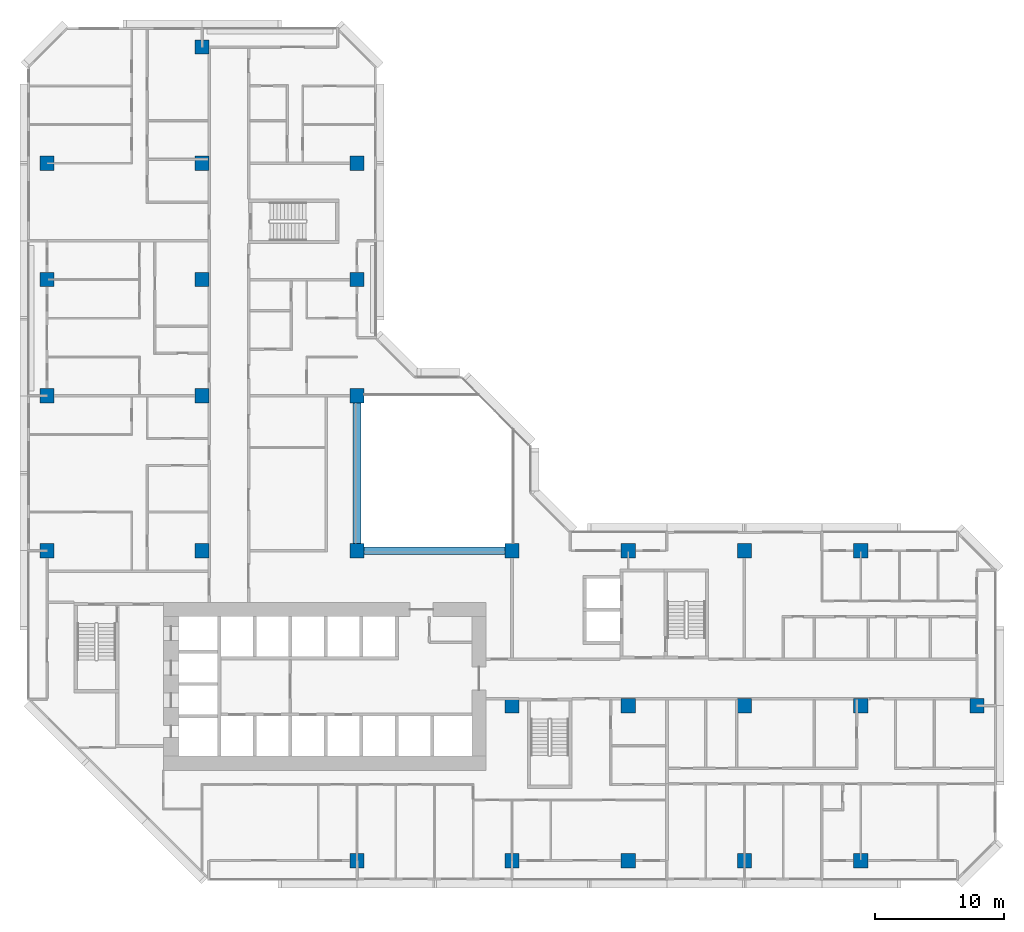
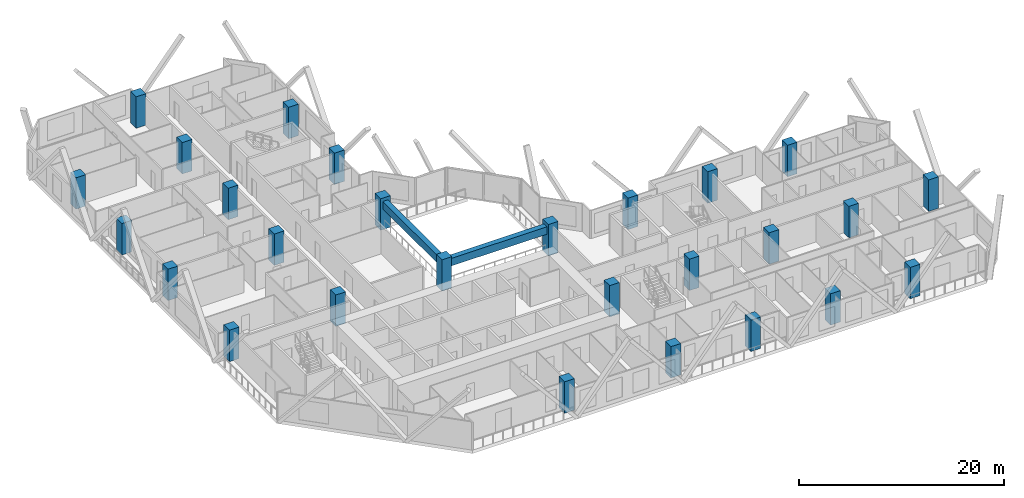
# One storey, part 1 of 16: 27 columns, 2 beams.
"""IFC4 building model written with IfcOpenShell, lengths in metres."""

from ifc_helpers import new_model, si_unit, direction, frame, origin, origin_2d, place, context, subcontext, project, spatial, rectangle, extrude, material, material_profile, profile_set, type_object, element, save


model = new_model("IFC4")

# Units and contexts
model_context = context("Model", 3, precision=1e-05, world=origin(), true_north=direction((0.0, 1.0)))
body_context = subcontext(model_context, "Body", "Model", "MODEL_VIEW")
ifc_project = project(units=[si_unit("LENGTHUNIT", "METRE"), si_unit("AREAUNIT", "SQUARE_METRE"), si_unit("VOLUMEUNIT", "CUBIC_METRE"), si_unit("PLANEANGLEUNIT", "RADIAN"), si_unit("MASSUNIT", "GRAM", prefix="KILO")], contexts=[model_context])

# Site, building, storey
site_placement = place(None, origin())
site = spatial("IfcSite", under=ifc_project, at=site_placement, CompositionType="ELEMENT")
building_placement = place(site_placement, origin())
building = spatial("IfcBuilding", under=site, at=building_placement, Name="Chenar Terraces", CompositionType="ELEMENT")
storey_placement = place(building_placement, frame((0.0, 0.0, 71.39990234375)))
storey = spatial("IfcBuildingStorey", under=building, at=storey_placement, Name="L15", CompositionType="ELEMENT", Elevation=71.39990234375)

# Columns
ifc_material_1 = material(Name="Concrete C70/85", Category="concrete")
ifc_material_profile_1 = material_profile(ifc_material_1, rectangle(XDim=1.10009765625, YDim=1.10009765625, at=origin_2d()), Name="C 1100 x 1100")
ifc_profile_set_1 = profile_set([ifc_material_profile_1], Name="Concrete C70/85")
column_type = type_object("IfcColumnType", Name="Column C 1100 x 1100 Concrete C70/85", PredefinedType="COLUMN", material=ifc_profile_set_1)
column_1_placement = place(storey_placement, frame((0.0, 24.0, 0.0), z_axis=(0.0, 0.0, 1.0), x_axis=(1.0, 0.0, 0.0)))
element("IfcColumn", 1, at=column_1_placement, inside=storey, type_object=column_type, Name="Column 5/G L15", PredefinedType="COLUMN", context=body_context, shape_type="SweptSolid", body=[
    extrude(rectangle(XDim=1.10009765625, YDim=1.10009765625, at=origin_2d()), origin(), (0.0, 0.0, 1.0), 3.75),
])
column_2_placement = place(storey_placement, frame((0.0, 36.0, 0.0), z_axis=(0.0, 0.0, 1.0), x_axis=(1.0, 0.0, 0.0)))
element("IfcColumn", 2, at=column_2_placement, inside=storey, type_object=column_type, Name="Column 5/H L15", PredefinedType="COLUMN", context=body_context, shape_type="SweptSolid", body=[
    extrude(rectangle(XDim=1.10009765625, YDim=1.10009765625, at=origin_2d()), origin(), (0.0, 0.0, 1.0), 3.75),
])
column_3_placement = place(storey_placement, frame((0.0, 45.0, 0.0), z_axis=(0.0, 0.0, 1.0), x_axis=(1.0, 0.0, 0.0)))
element("IfcColumn", 3, at=column_3_placement, inside=storey, type_object=column_type, Name="Column 5/J L15", PredefinedType="COLUMN", context=body_context, shape_type="SweptSolid", body=[
    extrude(rectangle(XDim=1.10009765625, YDim=1.10009765625, at=origin_2d()), origin(), (0.0, 0.0, 1.0), 3.75),
])
column_4_placement = place(storey_placement, frame((0.0, 54.0, 0.0), z_axis=(0.0, 0.0, 1.0), x_axis=(1.0, 0.0, 0.0)))
element("IfcColumn", 4, at=column_4_placement, inside=storey, type_object=column_type, Name="Column 5/K L15", PredefinedType="COLUMN", context=body_context, shape_type="SweptSolid", body=[
    extrude(rectangle(XDim=1.10009765625, YDim=1.10009765625, at=origin_2d()), origin(), (0.0, 0.0, 1.0), 3.75),
])
for number, where, z_axis, x_axis, name in (
    (5, (12.0, 24.0, 0.0), (0.0, 0.0, 1.0), (1.0, 0.0, 0.0), "Column 6/G L15"),
    (6, (12.0, 36.0, 0.0), (0.0, 0.0, 1.0), (1.0, 0.0, 0.0), "Column 6/H L15"),
    (7, (12.0, 45.0, 0.0), (0.0, 0.0, 1.0), (1.0, 0.0, 0.0), "Column 6/J L15"),
    (8, (12.0, 54.0, 0.0), (0.0, 0.0, 1.0), (1.0, 0.0, 0.0), "Column 6/K L15"),
    (9, (12.0, 63.0, 0.0), (0.0, 0.0, 1.0), (1.0, 0.0, 0.0), "Column 6/L L15"),
    (10, (24.0, 0.0, 0.0), (0.0, 0.0, 1.0), (1.0, 0.0, 0.0), "Column 7/E L15"),
    (11, (24.0, 24.0, 0.0), (0.0, 0.0, 1.0), (1.0, 0.0, 0.0), "Column 7/G L15"),
    (12, (24.0, 36.0, 0.0), (0.0, 0.0, 1.0), (1.0, 0.0, 0.0), "Column 7/H L15"),
    (13, (24.0, 45.0, 0.0), (0.0, 0.0, 1.0), (1.0, 0.0, 0.0), "Column 7/J L15"),
    (14, (24.0, 54.0, 0.0), (0.0, 0.0, 1.0), (1.0, 0.0, 0.0), "Column 7/K L15"),
    (15, (36.0, 0.0, 0.0), (0.0, 0.0, 1.0), (1.0, 0.0, 0.0), "Column 8/E L15"),
    (16, (36.0, 12.0, 0.0), (0.0, 0.0, 1.0), (1.0, 0.0, 0.0), "Column 8/F L15"),
    (17, (36.0, 24.0, 0.0), (0.0, 0.0, 1.0), (1.0, 0.0, 0.0), "Column 8/G L15"),
    (18, (45.0, 0.0, 0.0), (0.0, 0.0, 1.0), (1.0, 0.0, 0.0), "Column 9/E L15"),
    (19, (45.0, 12.0, 0.0), (0.0, 0.0, 1.0), (1.0, 0.0, 0.0), "Column 9/F L15"),
    (20, (45.0, 24.0, 0.0), (0.0, 0.0, 1.0), (1.0, 0.0, 0.0), "Column 9/G L15"),
    (21, (54.0, 0.0, 0.0), (0.0, 0.0, 1.0), (1.0, 0.0, 0.0), "Column 10/E L15"),
    (22, (54.0, 12.0, 0.0), (0.0, 0.0, 1.0), (1.0, 0.0, 0.0), "Column 10/F L15"),
    (23, (54.0, 24.0, 0.0), (0.0, 0.0, 1.0), (1.0, 0.0, 0.0), "Column 10/G L15"),
    (24, (63.0, 0.0, 0.0), (0.0, 0.0, 1.0), (1.0, 0.0, 0.0), "Column 11/E L15"),
    (25, (63.0, 12.0, 0.0), (0.0, 0.0, 1.0), (1.0, 0.0, 0.0), "Column 11/F L15"),
    (26, (63.0, 24.0, 0.0), (0.0, 0.0, 1.0), (1.0, 0.0, 0.0), "Column 11/G L15"),
    (27, (72.0, 12.0, 0.0), (0.0, 0.0, 1.0), (1.0, 0.0, 0.0), "Column 12/F L15"),
):
    element("IfcColumn", number, at=place(storey_placement, frame(where, z_axis=z_axis, x_axis=x_axis)), inside=storey, type_object=column_type, Name=name, PredefinedType="COLUMN", context=body_context, shape_type="SweptSolid", body=[
        extrude(rectangle(XDim=1.10009765625, YDim=1.10009765625, at=origin_2d()), origin(), (0.0, 0.0, 1.0), 3.75),
    ])

# Beams
ifc_material_2 = material(Name="Concrete C40/50", Category="concrete")
ifc_material_profile_2 = material_profile(ifc_material_2, rectangle(XDim=0.60009765625, YDim=0.89990234375, at=origin_2d()), Name="RC 600 x 900")
ifc_profile_set_2 = profile_set([ifc_material_profile_2], Name="Concrete C40/50")
beam_type = type_object("IfcBeamType", Name="Atrium edge beam 600 x 900 Concrete C40/50", PredefinedType="BEAM", material=ifc_profile_set_2)
for number, where, z_axis, x_axis, name in (
    (28, (24.550048828125, 24.0, 2.900146484375), (1.0, 0.0, 0.0), (0.0, 1.0, 0.0), "Atrium edge beam L16 1"),
    (29, (24.0, 35.449951171875, 2.900146484375), (0.0, -1.0, 0.0), (1.0, 0.0, 0.0), "Atrium edge beam L16 4"),
):
    element("IfcBeam", number, at=place(storey_placement, frame(where, z_axis=z_axis, x_axis=x_axis)), inside=storey, type_object=beam_type, Name=name, PredefinedType="BEAM", context=body_context, shape_type="SweptSolid", body=[
        extrude(rectangle(XDim=0.60009765625, YDim=0.89990234375, at=origin_2d()), origin(), (0.0, 0.0, 1.0), 10.89990234375),
    ])

save(model, "model.ifc")
